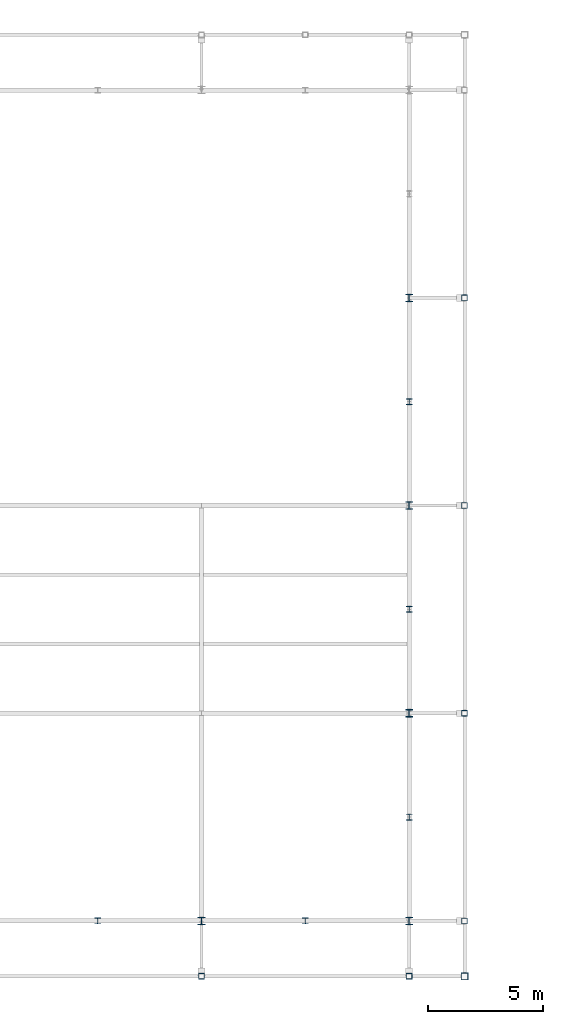
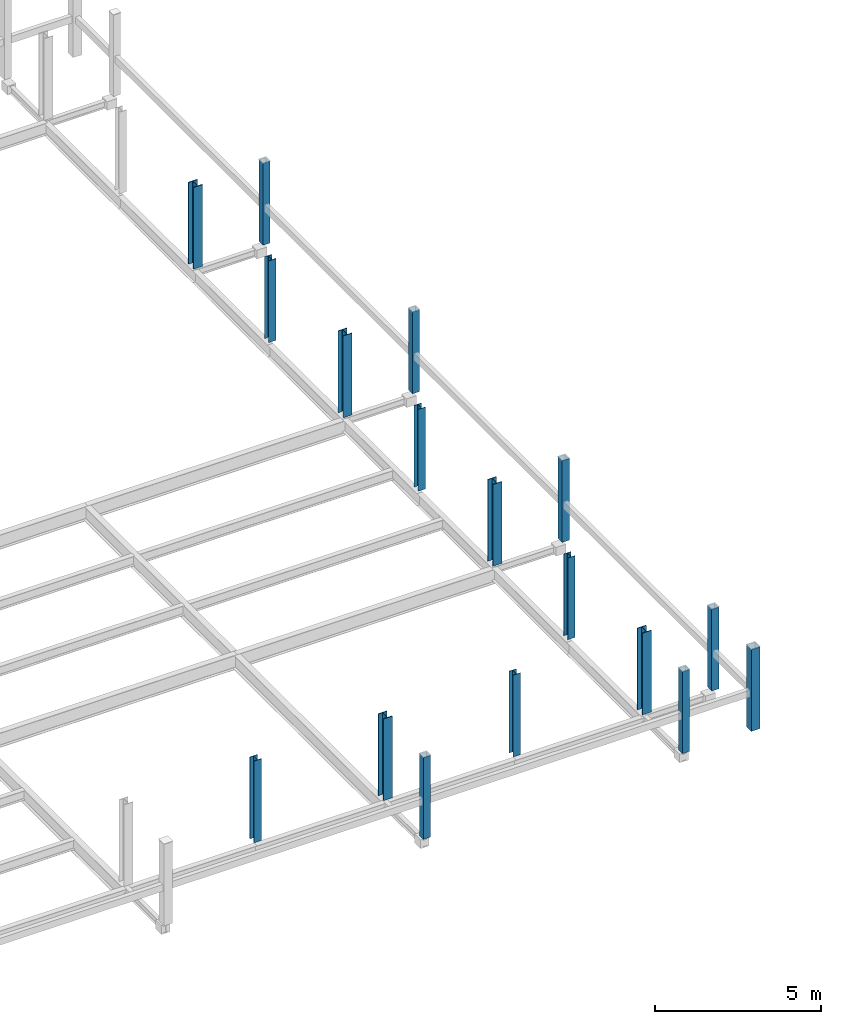
# One storey, part 4 of 16: 17 columns.
"""IFC4 building model written with IfcOpenShell, lengths in metres."""

import ifcopenshell
import ifcopenshell.guid

model = None  # the IFC model being written
_history = None  # IfcOwnerHistory: only IFC2X3 demands one
_inside = {}  # id of a spatial element -> (the spatial element, [elements in it])
_under = {}  # id of a project, library or spatial element -> (it, [spatial elements below it])
_declared = {}  # id of a project -> (the project, [libraries it declares])
_typed = {}  # id of a type object -> (the type object, [elements of that type])
_made_of = {}  # id of a material, layer set ... -> (it, [elements and type objects made of it])


def new_model(schema):
    """Start an empty IFC model of exactly this schema.

    Asked for "IFC4X3", IfcOpenShell would pick the latest addendum, in which some entities
    have other attributes; the version numbers below select the first issue.
    IFC2X3 requires an IfcOwnerHistory on every rooted entity: one is made here for all.
    """
    global model, _history
    if schema == "IFC4X3":
        model = ifcopenshell.file(schema_version=(4, 3, 0, 0))
    else:
        model = ifcopenshell.file(schema=schema)
    _inside.clear()
    _under.clear()
    _declared.clear()
    _typed.clear()
    _made_of.clear()
    _history = None
    if model.schema == "IFC2X3":
        org = make("IfcOrganization", Name="unknown")
        user = make(
            "IfcPersonAndOrganization",
            ThePerson=make("IfcPerson", FamilyName="unknown"),
            TheOrganization=org,
        )
        app = make(
            "IfcApplication",
            ApplicationDeveloper=org,
            Version="unknown",
            ApplicationFullName="unknown",
            ApplicationIdentifier="unknown",
        )
        _history = make(
            "IfcOwnerHistory",
            OwningUser=user,
            OwningApplication=app,
            ChangeAction="ADDED",
            CreationDate=0,
        )
    return model


def make(cls, **values):
    """One entity of the class cls with the attributes given. An attribute that is None is left unset."""
    return model.create_entity(
        cls, **{name: value for name, value in values.items() if value is not None}
    )


def rooted(cls, **values):
    """An entity with a GlobalId (a new one), such as an element, a storey or a relation."""
    return make(cls, GlobalId=ifcopenshell.guid.new(), OwnerHistory=_history, **values)


def si_unit(unit_type, name, prefix=None):
    """IfcSIUnit, for example si_unit("LENGTHUNIT", "METRE", prefix="MILLI")."""
    return make("IfcSIUnit", UnitType=unit_type, Prefix=prefix, Name=name)


def assignment(units):
    """IfcUnitAssignment: the units of a project."""
    return None if units is None else make("IfcUnitAssignment", Units=units)


def point(xyz):
    """IfcCartesianPoint."""
    return None if xyz is None else make("IfcCartesianPoint", Coordinates=xyz)


def direction(xyz):
    """IfcDirection."""
    return None if xyz is None else make("IfcDirection", DirectionRatios=xyz)


def frame(location, z_axis=None, x_axis=None):
    """IfcAxis2Placement3D, a coordinate frame: its origin and axes. An axis left out is left unset."""
    return make(
        "IfcAxis2Placement3D",
        Location=point(location),
        Axis=direction(z_axis),
        RefDirection=direction(x_axis),
    )


def frame_2d(location, x_axis=None):
    """IfcAxis2Placement2D, a coordinate frame in the plane: its origin and x axis."""
    return make(
        "IfcAxis2Placement2D", Location=point(location), RefDirection=direction(x_axis)
    )


def origin():
    """The frame at (0, 0, 0) with its axes left unset."""
    return frame((0.0, 0.0, 0.0))


def origin_2d():
    """The frame at (0, 0) in the plane with its x axis left unset."""
    return frame_2d((0.0, 0.0))


def place(relative_to, where):
    """IfcLocalPlacement: puts the frame where relative to a parent placement (None: the world)."""
    return make(
        "IfcLocalPlacement", PlacementRelTo=relative_to, RelativePlacement=where
    )


def context(
    kind, dimensions, precision=None, world=None, true_north=None, identifier=None
):
    """IfcGeometricRepresentationContext, for example the 3D "Model" context."""
    return make(
        "IfcGeometricRepresentationContext",
        ContextIdentifier=identifier,
        ContextType=kind,
        CoordinateSpaceDimension=dimensions,
        Precision=precision,
        WorldCoordinateSystem=world,
        TrueNorth=true_north,
    )


def subcontext(parent, identifier, kind, view, scale=None):
    """IfcGeometricRepresentationSubContext, for example "Body" below "Model"."""
    return make(
        "IfcGeometricRepresentationSubContext",
        ContextIdentifier=identifier,
        ContextType=kind,
        ParentContext=parent,
        TargetScale=scale,
        TargetView=view,
    )


def project(units=None, contexts=None):
    """IfcProject with its units and contexts."""
    return rooted(
        "IfcProject",
        Name="project",
        RepresentationContexts=contexts,
        UnitsInContext=assignment(units),
    )


def spatial(cls, under=None, at=None, **own):
    """A site, building, storey or space (cls), placed at a placement, below another one or the project."""
    s = rooted(cls, ObjectPlacement=at, **own)
    if under is not None:
        _under.setdefault(under.id(), (under, []))[1].append(s)
    return s


def profile(cls, at=None, kind="AREA", **sizes):
    """A parametric profile (cls). Its sizes go by their IFC names, for example OverallWidth=200.0."""
    return make(cls, ProfileType=kind, Position=at, **sizes)


def hollow_rectangle(**sizes):
    """IfcRectangleHollowProfileDef."""
    return profile("IfcRectangleHollowProfileDef", **sizes)


def i_section(**sizes):
    """IfcIShapeProfileDef."""
    return profile("IfcIShapeProfileDef", **sizes)


def extrude(swept, where, along, depth):
    """IfcExtrudedAreaSolid: the profile swept, set in the frame where, extruded along a direction by depth."""
    return make(
        "IfcExtrudedAreaSolid",
        SweptArea=swept,
        Position=where,
        ExtrudedDirection=direction(along),
        Depth=depth,
    )


def shape(context_of_items, identifier, shape_type, items):
    """IfcShapeRepresentation: the items that make up one representation, for example the "Body"."""
    return make(
        "IfcShapeRepresentation",
        ContextOfItems=context_of_items,
        RepresentationIdentifier=identifier,
        RepresentationType=shape_type,
        Items=items,
    )


def material(Name=None, Category=None):
    """IfcMaterial."""
    return make("IfcMaterial", Name=Name, Category=Category)


def material_profile(
    of_material, cross_section, Name=None, Category=None, Priority=None
):
    """IfcMaterialProfile: a cross section and its material."""
    return make(
        "IfcMaterialProfile",
        Name=Name,
        Material=of_material,
        Profile=cross_section,
        Priority=Priority,
        Category=Category,
    )


def profile_set(profiles, Name=None, composite=None):
    """IfcMaterialProfileSet."""
    return make(
        "IfcMaterialProfileSet",
        Name=Name,
        MaterialProfiles=profiles,
        CompositeProfile=composite,
    )


def made_of(thing, what):
    """Note that an element or type object is made of a material, layer set ...; save() writes the relation."""
    if what is not None:
        _made_of.setdefault(what.id(), (what, []))[1].append(thing)
    return thing


def type_object(cls, material=None, **own):
    """A type object (cls), such as IfcWallType, which elements share."""
    return made_of(rooted(cls, **own), material)


def element(
    cls,
    number,
    at=None,
    inside=None,
    cuts=None,
    type_object=None,
    material=None,
    context=None,
    identifier="Body",
    shape_type=None,
    held_by="IfcProductDefinitionShape",
    body=None,
    shapes=None,
    **own,
):
    """One element of the class cls, such as IfcWall. Its Tag is "e" and its number.

    at: its placement. inside: the storey or other place that contains it. cuts: it is an
    opening in that element (IfcRelVoidsElement). A single representation is given by context,
    identifier, shape_type and body (its items); several are given by shapes. held_by: the class
    of the entity that holds the representations. save() writes the other relations.
    """
    e = rooted(cls, Tag="e%d" % number, ObjectPlacement=at, **own)
    if body is not None:
        shapes = [shape(context, identifier, shape_type, body)]
    if shapes is not None:
        e.Representation = make(held_by, Representations=shapes)
    if inside is not None:
        _inside.setdefault(inside.id(), (inside, []))[1].append(e)
    if cuts is not None:
        rooted(
            "IfcRelVoidsElement", RelatingBuildingElement=cuts, RelatedOpeningElement=e
        )
    if type_object is not None:
        _typed.setdefault(type_object.id(), (type_object, []))[1].append(e)
    return made_of(e, material)


def aggregate(whole, parts):
    """IfcRelAggregates: a whole, such as a stair, and the parts it consists of."""
    return rooted("IfcRelAggregates", RelatingObject=whole, RelatedObjects=parts)


def save(model, path):
    """Write the relations noted so far, then the file.

    IfcRelAggregates (storeys below a building ...), IfcRelContainedInSpatialStructure (elements
    in a storey), IfcRelDefinesByType, IfcRelAssociatesMaterial and IfcRelDeclares: one each for
    every whole, place, type object, material and project.
    """
    for whole, parts in _under.values():
        aggregate(whole, parts)
    for where, things in _inside.values():
        rooted(
            "IfcRelContainedInSpatialStructure",
            RelatedElements=things,
            RelatingStructure=where,
        )
    for kind, things in _typed.values():
        rooted("IfcRelDefinesByType", RelatedObjects=things, RelatingType=kind)
    for what, things in _made_of.values():
        rooted("IfcRelAssociatesMaterial", RelatedObjects=things, RelatingMaterial=what)
    for by, libraries in _declared.values():
        rooted("IfcRelDeclares", RelatingContext=by, RelatedDefinitions=libraries)
    model.write(path)


model = new_model("IFC4")

# Units and contexts
model_context = context("Model", 3, precision=1e-05, world=origin(), true_north=direction((0.0, 1.0)))
body_context = subcontext(model_context, "Body", "Model", "MODEL_VIEW")
ifc_project = project(units=[si_unit("LENGTHUNIT", "METRE"), si_unit("AREAUNIT", "SQUARE_METRE"), si_unit("VOLUMEUNIT", "CUBIC_METRE"), si_unit("PLANEANGLEUNIT", "RADIAN"), si_unit("MASSUNIT", "GRAM", prefix="KILO"), si_unit("THERMODYNAMICTEMPERATUREUNIT", "KELVIN"), si_unit("POWERUNIT", "WATT")], contexts=[model_context])

# Site, building, storey
site_placement = place(None, origin())
site = spatial("IfcSite", under=ifc_project, at=site_placement, CompositionType="ELEMENT")
building_placement = place(site_placement, origin())
building = spatial("IfcBuilding", under=site, at=building_placement, Name="Tallowbark Science Centre", CompositionType="ELEMENT")
storey_placement = place(building_placement, frame((0.0, 0.0, 23.39990234375)))
storey = spatial("IfcBuildingStorey", under=building, at=storey_placement, Name="L05", CompositionType="ELEMENT", Elevation=23.39990234375)

# Columns
ifc_material_1 = material(Name="White Architectural Painted Steel Grade C350L0 (350 MPa)", Category="steel")
ifc_material_profile_1 = material_profile(ifc_material_1, hollow_rectangle(XDim=0.25, YDim=0.25, WallThickness=0.009033203125, at=origin_2d()), Name="250x250x9.0SHS")
ifc_profile_set_1 = profile_set([ifc_material_profile_1], Name="White Architectural Painted Steel Grade C350L0 (350 MPa)")
column_type_1 = type_object("IfcColumnType", Name="COL-SCR200", PredefinedType="COLUMN", material=ifc_profile_set_1)
for number, where, z_axis, x_axis, name in (
    (1, (94.5, 2.10009765625, 0.0), (0.0, 0.0, 1.0), (1.0, 0.0, 0.0), "Column SCR-S05 L05"),
    (2, (103.5, 2.10009765625, 0.0), (0.0, 0.0, 1.0), (1.0, 0.0, 0.0), "Column SCR-S06 L05"),
    (3, (105.89990234375, 4.5, 0.0), (0.0, 0.0, 1.0), (1.0, 0.0, 0.0), "Column SCR-E01 L05"),
    (4, (105.89990234375, 13.5, 0.0), (0.0, 0.0, 1.0), (1.0, 0.0, 0.0), "Column SCR-E02 L05"),
    (5, (105.89990234375, 22.5, 0.0), (0.0, 0.0, 1.0), (1.0, 0.0, 0.0), "Column SCR-E03 L05"),
    (6, (105.89990234375, 31.5, 0.0), (0.0, 0.0, 1.0), (1.0, 0.0, 0.0), "Column SCR-E04 L05"),
):
    element("IfcColumn", number, at=place(storey_placement, frame(where, z_axis=z_axis, x_axis=x_axis)), inside=storey, type_object=column_type_1, Name=name, PredefinedType="COLUMN", context=body_context, shape_type="SweptSolid", body=[
        extrude(hollow_rectangle(XDim=0.25, YDim=0.25, WallThickness=0.009033203125, at=origin_2d()), origin(), (0.0, 0.0, 1.0), 3.0),
    ])
ifc_material_profile_2 = material_profile(ifc_material_1, hollow_rectangle(XDim=0.300048828125, YDim=0.300048828125, WallThickness=0.010009765625, at=origin_2d()), Name="300x300x10.0SHS")
ifc_profile_set_2 = profile_set([ifc_material_profile_2], Name="White Architectural Painted Steel Grade C350L0 (350 MPa)")
column_type_2 = type_object("IfcColumnType", Name="COL-SCR300", PredefinedType="COLUMN", material=ifc_profile_set_2)
column_placement = place(storey_placement, frame((105.89990234375, 2.10009765625, 0.0), z_axis=(0.0, 0.0, 1.0), x_axis=(1.0, 0.0, 0.0)))
element("IfcColumn", 7, at=column_placement, inside=storey, type_object=column_type_2, Name="Column SCR-S07 L05", PredefinedType="COLUMN", context=body_context, shape_type="SweptSolid", body=[
    extrude(hollow_rectangle(XDim=0.300048828125, YDim=0.300048828125, WallThickness=0.010009765625, at=origin_2d()), origin(), (0.0, 0.0, 1.0), 3.0),
])
ifc_material_2 = material(Name="Structural Steel Grade 300PLUS (300 MPa)", Category="steel")
ifc_material_profile_3 = material_profile(ifc_material_2, i_section(OverallWidth=0.311279296875, OverallDepth=0.3271484375, WebThickness=0.015625, FlangeThickness=0.02490234375, FilletRadius=0.0166015625, at=origin_2d()), Name="310UC158")
ifc_profile_set_3 = profile_set([ifc_material_profile_3], Name="Structural Steel Grade 300PLUS (300 MPa)")
column_type_3 = type_object("IfcColumnType", Name="COL-UC310A", PredefinedType="COLUMN", material=ifc_profile_set_3)
for number, where, z_axis, x_axis, name in (
    (8, (94.5, 4.5, 0.0), (0.0, 0.0, 1.0), (1.0, 0.0, 0.0), "Column CUB-M4_0 L05"),
    (9, (103.5, 4.5, 0.0), (0.0, 0.0, 1.0), (1.0, 0.0, 0.0), "Column CUB-M5_0 L05"),
    (10, (103.5, 13.5, 0.0), (0.0, 0.0, 1.0), (1.0, 0.0, 0.0), "Column CUB-M5_1 L05"),
    (11, (103.5, 22.5, 0.0), (0.0, 0.0, 1.0), (1.0, 0.0, 0.0), "Column CUB-M5_2 L05"),
    (12, (103.5, 31.5, 0.0), (0.0, 0.0, 1.0), (1.0, 0.0, 0.0), "Column CUB-M5_3 L05"),
):
    element("IfcColumn", number, at=place(storey_placement, frame(where, z_axis=z_axis, x_axis=x_axis)), inside=storey, type_object=column_type_3, Name=name, PredefinedType="COLUMN", context=body_context, shape_type="SweptSolid", body=[
        extrude(i_section(OverallWidth=0.311279296875, OverallDepth=0.3271484375, WebThickness=0.015625, FlangeThickness=0.02490234375, FilletRadius=0.0166015625, at=origin_2d()), origin(), (0.0, 0.0, 1.0), 3.0),
    ])
ifc_material_profile_4 = material_profile(ifc_material_2, i_section(OverallWidth=0.256103515625, OverallDepth=0.260009765625, WebThickness=0.010498046875, FlangeThickness=0.017333984375, FilletRadius=0.013916015625, at=origin_2d()), Name="250UC89.5")
ifc_profile_set_4 = profile_set([ifc_material_profile_4], Name="Structural Steel Grade 300PLUS (300 MPa)")
column_type_4 = type_object("IfcColumnType", Name="PIL-UC250", PredefinedType="PILASTER", material=ifc_profile_set_4)
for number, where, z_axis, x_axis, name in (
    (13, (90.0, 4.5, 0.0), (0.0, 0.0, 1.0), (1.0, 0.0, 0.0), "Column CUB-PS-3 L05"),
    (14, (99.0, 4.5, 0.0), (0.0, 0.0, 1.0), (1.0, 0.0, 0.0), "Column CUB-PS-4 L05"),
    (15, (103.5, 9.0, 0.0), (0.0, 0.0, 1.0), (1.0, 0.0, 0.0), "Column CUB-PE-0 L05"),
    (16, (103.5, 18.0, 0.0), (0.0, 0.0, 1.0), (1.0, 0.0, 0.0), "Column CUB-PE-1 L05"),
    (17, (103.5, 27.0, 0.0), (0.0, 0.0, 1.0), (1.0, 0.0, 0.0), "Column CUB-PE-2 L05"),
):
    element("IfcColumn", number, at=place(storey_placement, frame(where, z_axis=z_axis, x_axis=x_axis)), inside=storey, type_object=column_type_4, Name=name, PredefinedType="PILASTER", context=body_context, shape_type="SweptSolid", body=[
        extrude(i_section(OverallWidth=0.256103515625, OverallDepth=0.260009765625, WebThickness=0.010498046875, FlangeThickness=0.017333984375, FilletRadius=0.013916015625, at=origin_2d()), origin(), (0.0, 0.0, 1.0), 3.0),
    ])

save(model, "model.ifc")
